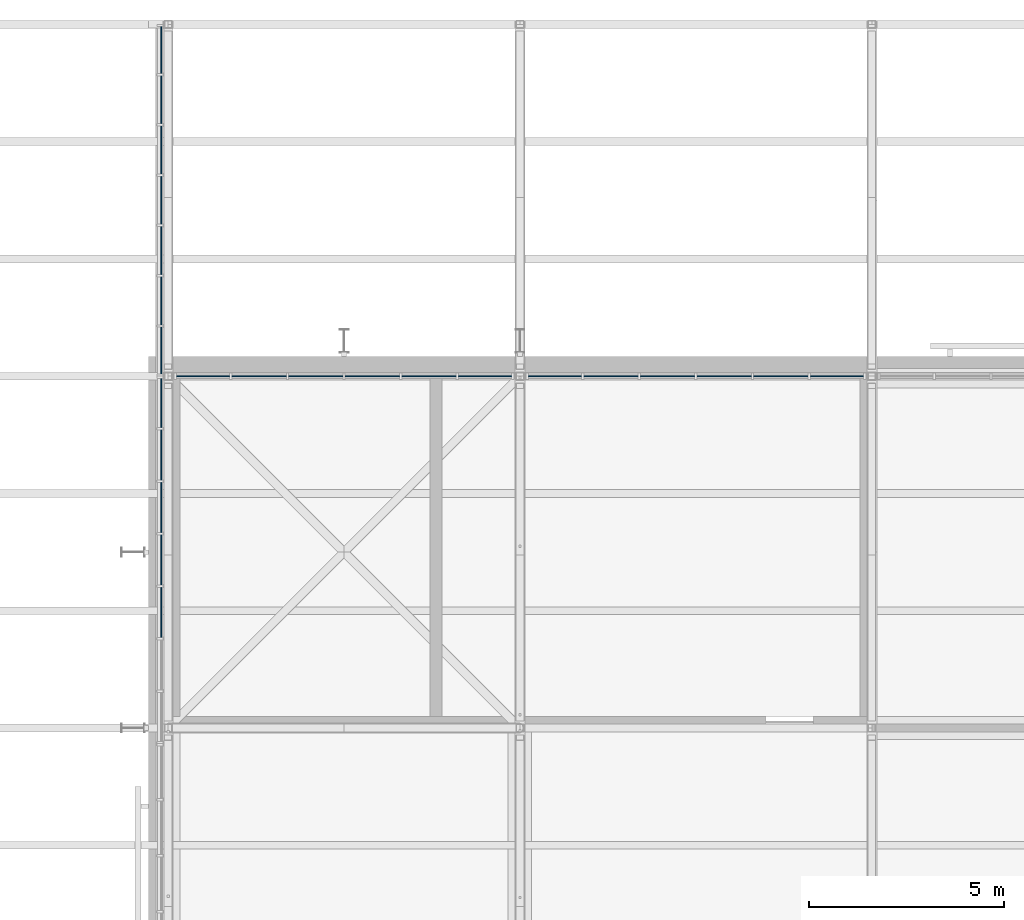
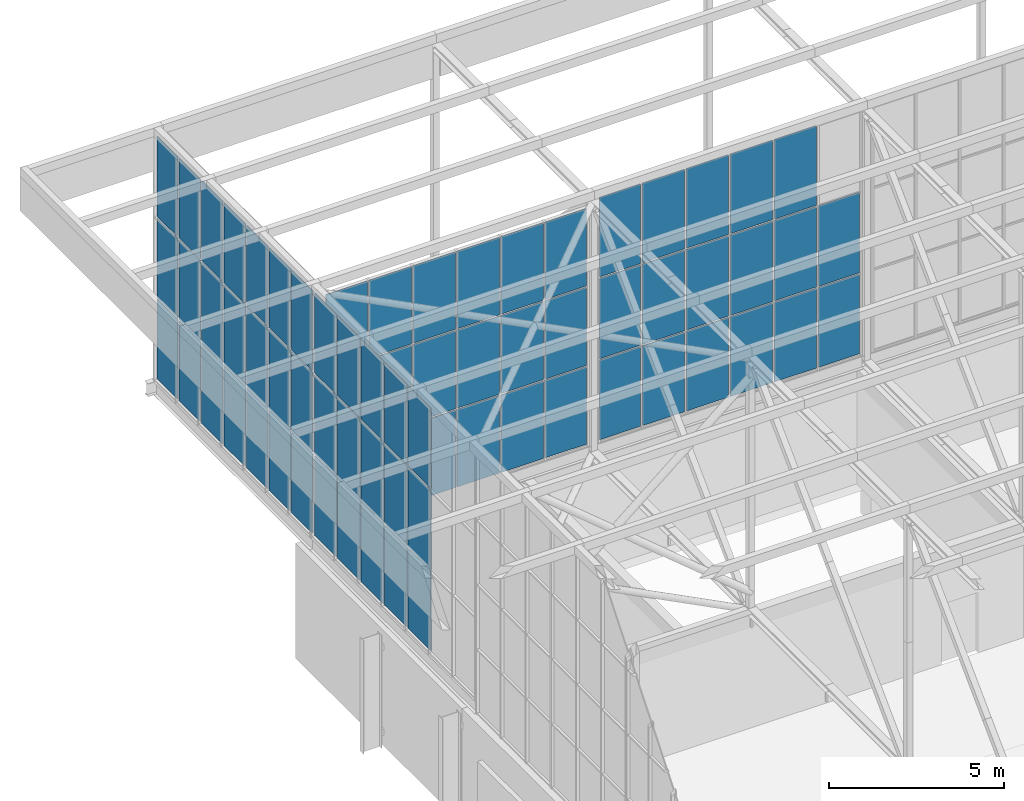
# One storey, part 159 of 646: 71 plates, 4 elements without a shape of their own.
"""IFC4 building model written with IfcOpenShell, lengths in metres."""

from ifc_helpers import new_model, si_unit, direction, frame, origin, origin_2d, place, context, subcontext, project, spatial, rectangle, extrude, material, layer, layer_set, type_object, element, aggregate, save


model = new_model("IFC4")

# Units and contexts
model_context = context("Model", 3, precision=1e-05, world=origin(), true_north=direction((0.0, 1.0)))
body_context = subcontext(model_context, "Body", "Model", "MODEL_VIEW")
ifc_project = project(units=[si_unit("LENGTHUNIT", "METRE"), si_unit("AREAUNIT", "SQUARE_METRE"), si_unit("VOLUMEUNIT", "CUBIC_METRE"), si_unit("PLANEANGLEUNIT", "RADIAN"), si_unit("MASSUNIT", "GRAM", prefix="KILO")], contexts=[model_context])

# Site, building, storey
site_placement = place(None, origin())
site = spatial("IfcSite", under=ifc_project, at=site_placement, CompositionType="ELEMENT")
building_placement = place(site_placement, origin())
building = spatial("IfcBuilding", under=site, at=building_placement, Name="Silverbay Arena", CompositionType="ELEMENT")
storey_placement = place(building_placement, frame((0.0, 0.0, 33.5)))
storey = spatial("IfcBuildingStorey", under=building, at=storey_placement, Name="L05", CompositionType="ELEMENT", Elevation=33.5)

# Curtain wall, plates
ifc_material_1 = material(Name="Aluminium framed glazing", Category="aluminium")
curtain_wall_type_1 = type_object("IfcCurtainWallType", Name="Curtain wall clerestory 8693 x 8303", PredefinedType="NOTDEFINED", material=ifc_material_1)
curtain_wall_1_placement = place(storey_placement, origin())
curtain_wall_1 = element("IfcCurtainWall", 1, at=curtain_wall_1_placement, inside=storey, type_object=curtain_wall_type_1, Name="ROOF CLERESTORY CURTAIN WALL north bay 01", PredefinedType="NOTDEFINED")
ifc_material_2 = material(Name="Laminated glass", Category="glass")
ifc_layer = layer(ifc_material_2, 0.028076171875)
ifc_layer_set = layer_set([ifc_layer], Name="Laminated glass")
plate_type = type_object("IfcPlateType", Name="Glass panel 28", PredefinedType="CURTAIN_PANEL", material=ifc_layer_set)
plate_1_placement = place(storey_placement, frame((54.89306640625, 144.0, 4.510009765625), z_axis=(0.0, 0.0, 1.0), x_axis=(1.0, 0.0, 0.0)))
plate_1 = element("IfcPlate", 2, at=plate_1_placement, type_object=plate_type, Name="CW54 panel 1.1", PredefinedType="CURTAIN_PANEL", context=body_context, shape_type="SweptSolid", body=[
    extrude(rectangle(XDim=1.35888671875, YDim=0.028076171875, at=origin_2d()), origin(), (0.0, 0.0, 1.0), 2.69287109375),
])
plate_2_placement = place(storey_placement, frame((54.89306640625, 144.0, 7.2529296875), z_axis=(0.0, 0.0, 1.0), x_axis=(1.0, 0.0, 0.0)))
plate_2 = element("IfcPlate", 3, at=plate_2_placement, type_object=plate_type, Name="CW54 panel 1.2", PredefinedType="CURTAIN_PANEL", context=body_context, shape_type="SweptSolid", body=[
    extrude(rectangle(XDim=1.35888671875, YDim=0.028076171875, at=origin_2d()), origin(), (0.0, 0.0, 1.0), 2.7177734375),
])
plate_3_placement = place(storey_placement, frame((54.89306640625, 144.0, 10.0205078125), z_axis=(0.0, 0.0, 1.0), x_axis=(1.0, 0.0, 0.0)))
plate_3 = element("IfcPlate", 4, at=plate_3_placement, type_object=plate_type, Name="CW54 panel 1.3", PredefinedType="CURTAIN_PANEL", context=body_context, shape_type="SweptSolid", body=[
    extrude(rectangle(XDim=1.35888671875, YDim=0.028076171875, at=origin_2d()), origin(), (0.0, 0.0, 1.0), 2.69287109375),
])
plate_4_placement = place(storey_placement, frame((56.326904296875, 144.0, 4.510009765625), z_axis=(0.0, 0.0, 1.0), x_axis=(1.0, 0.0, 0.0)))
plate_4 = element("IfcPlate", 5, at=plate_4_placement, type_object=plate_type, Name="CW54 panel 2.1", PredefinedType="CURTAIN_PANEL", context=body_context, shape_type="SweptSolid", body=[
    extrude(rectangle(XDim=1.388671875, YDim=0.028076171875, at=origin_2d()), origin(), (0.0, 0.0, 1.0), 2.69287109375),
])
plate_5_placement = place(storey_placement, frame((56.326904296875, 144.0, 7.2529296875), z_axis=(0.0, 0.0, 1.0), x_axis=(1.0, 0.0, 0.0)))
plate_5 = element("IfcPlate", 6, at=plate_5_placement, type_object=plate_type, Name="CW54 panel 2.2", PredefinedType="CURTAIN_PANEL", context=body_context, shape_type="SweptSolid", body=[
    extrude(rectangle(XDim=1.388671875, YDim=0.028076171875, at=origin_2d()), origin(), (0.0, 0.0, 1.0), 2.7177734375),
])
plate_6_placement = place(storey_placement, frame((56.326904296875, 144.0, 10.0205078125), z_axis=(0.0, 0.0, 1.0), x_axis=(1.0, 0.0, 0.0)))
plate_6 = element("IfcPlate", 7, at=plate_6_placement, type_object=plate_type, Name="CW54 panel 2.3", PredefinedType="CURTAIN_PANEL", context=body_context, shape_type="SweptSolid", body=[
    extrude(rectangle(XDim=1.388671875, YDim=0.028076171875, at=origin_2d()), origin(), (0.0, 0.0, 1.0), 2.69287109375),
])
plate_7_placement = place(storey_placement, frame((57.775634765625, 144.0, 4.510009765625), z_axis=(0.0, 0.0, 1.0), x_axis=(1.0, 0.0, 0.0)))
plate_7 = element("IfcPlate", 8, at=plate_7_placement, type_object=plate_type, Name="CW54 panel 3.1", PredefinedType="CURTAIN_PANEL", context=body_context, shape_type="SweptSolid", body=[
    extrude(rectangle(XDim=1.388671875, YDim=0.028076171875, at=origin_2d()), origin(), (0.0, 0.0, 1.0), 2.69287109375),
])
plate_8_placement = place(storey_placement, frame((57.775634765625, 144.0, 7.2529296875), z_axis=(0.0, 0.0, 1.0), x_axis=(1.0, 0.0, 0.0)))
plate_8 = element("IfcPlate", 9, at=plate_8_placement, type_object=plate_type, Name="CW54 panel 3.2", PredefinedType="CURTAIN_PANEL", context=body_context, shape_type="SweptSolid", body=[
    extrude(rectangle(XDim=1.388671875, YDim=0.028076171875, at=origin_2d()), origin(), (0.0, 0.0, 1.0), 2.7177734375),
])
plate_9_placement = place(storey_placement, frame((57.775634765625, 144.0, 10.0205078125), z_axis=(0.0, 0.0, 1.0), x_axis=(1.0, 0.0, 0.0)))
plate_9 = element("IfcPlate", 10, at=plate_9_placement, type_object=plate_type, Name="CW54 panel 3.3", PredefinedType="CURTAIN_PANEL", context=body_context, shape_type="SweptSolid", body=[
    extrude(rectangle(XDim=1.388671875, YDim=0.028076171875, at=origin_2d()), origin(), (0.0, 0.0, 1.0), 2.69287109375),
])
plate_10_placement = place(storey_placement, frame((59.224365234375, 144.0, 4.510009765625), z_axis=(0.0, 0.0, 1.0), x_axis=(1.0, 0.0, 0.0)))
plate_10 = element("IfcPlate", 11, at=plate_10_placement, type_object=plate_type, Name="CW54 panel 4.1", PredefinedType="CURTAIN_PANEL", context=body_context, shape_type="SweptSolid", body=[
    extrude(rectangle(XDim=1.388671875, YDim=0.028076171875, at=origin_2d()), origin(), (0.0, 0.0, 1.0), 2.69287109375),
])
plate_11_placement = place(storey_placement, frame((59.224365234375, 144.0, 7.2529296875), z_axis=(0.0, 0.0, 1.0), x_axis=(1.0, 0.0, 0.0)))
plate_11 = element("IfcPlate", 12, at=plate_11_placement, type_object=plate_type, Name="CW54 panel 4.2", PredefinedType="CURTAIN_PANEL", context=body_context, shape_type="SweptSolid", body=[
    extrude(rectangle(XDim=1.388671875, YDim=0.028076171875, at=origin_2d()), origin(), (0.0, 0.0, 1.0), 2.7177734375),
])
plate_12_placement = place(storey_placement, frame((59.224365234375, 144.0, 10.0205078125), z_axis=(0.0, 0.0, 1.0), x_axis=(1.0, 0.0, 0.0)))
plate_12 = element("IfcPlate", 13, at=plate_12_placement, type_object=plate_type, Name="CW54 panel 4.3", PredefinedType="CURTAIN_PANEL", context=body_context, shape_type="SweptSolid", body=[
    extrude(rectangle(XDim=1.388671875, YDim=0.028076171875, at=origin_2d()), origin(), (0.0, 0.0, 1.0), 2.69287109375),
])
plate_13_placement = place(storey_placement, frame((60.673095703125, 144.0, 4.510009765625), z_axis=(0.0, 0.0, 1.0), x_axis=(1.0, 0.0, 0.0)))
plate_13 = element("IfcPlate", 14, at=plate_13_placement, type_object=plate_type, Name="CW54 panel 5.1", PredefinedType="CURTAIN_PANEL", context=body_context, shape_type="SweptSolid", body=[
    extrude(rectangle(XDim=1.388671875, YDim=0.028076171875, at=origin_2d()), origin(), (0.0, 0.0, 1.0), 2.69287109375),
])
plate_14_placement = place(storey_placement, frame((60.673095703125, 144.0, 7.2529296875), z_axis=(0.0, 0.0, 1.0), x_axis=(1.0, 0.0, 0.0)))
plate_14 = element("IfcPlate", 15, at=plate_14_placement, type_object=plate_type, Name="CW54 panel 5.2", PredefinedType="CURTAIN_PANEL", context=body_context, shape_type="SweptSolid", body=[
    extrude(rectangle(XDim=1.388671875, YDim=0.028076171875, at=origin_2d()), origin(), (0.0, 0.0, 1.0), 2.7177734375),
])
plate_15_placement = place(storey_placement, frame((60.673095703125, 144.0, 10.0205078125), z_axis=(0.0, 0.0, 1.0), x_axis=(1.0, 0.0, 0.0)))
plate_15 = element("IfcPlate", 16, at=plate_15_placement, type_object=plate_type, Name="CW54 panel 5.3", PredefinedType="CURTAIN_PANEL", context=body_context, shape_type="SweptSolid", body=[
    extrude(rectangle(XDim=1.388671875, YDim=0.028076171875, at=origin_2d()), origin(), (0.0, 0.0, 1.0), 2.69287109375),
])
plate_16_placement = place(storey_placement, frame((62.10693359375, 144.0, 4.510009765625), z_axis=(0.0, 0.0, 1.0), x_axis=(1.0, 0.0, 0.0)))
plate_16 = element("IfcPlate", 17, at=plate_16_placement, type_object=plate_type, Name="CW54 panel 6.1", PredefinedType="CURTAIN_PANEL", context=body_context, shape_type="SweptSolid", body=[
    extrude(rectangle(XDim=1.35888671875, YDim=0.028076171875, at=origin_2d()), origin(), (0.0, 0.0, 1.0), 2.69287109375),
])
plate_17_placement = place(storey_placement, frame((62.10693359375, 144.0, 7.2529296875), z_axis=(0.0, 0.0, 1.0), x_axis=(1.0, 0.0, 0.0)))
plate_17 = element("IfcPlate", 18, at=plate_17_placement, type_object=plate_type, Name="CW54 panel 6.2", PredefinedType="CURTAIN_PANEL", context=body_context, shape_type="SweptSolid", body=[
    extrude(rectangle(XDim=1.35888671875, YDim=0.028076171875, at=origin_2d()), origin(), (0.0, 0.0, 1.0), 2.7177734375),
])
plate_18_placement = place(storey_placement, frame((62.10693359375, 144.0, 10.0205078125), z_axis=(0.0, 0.0, 1.0), x_axis=(1.0, 0.0, 0.0)))
plate_18 = element("IfcPlate", 19, at=plate_18_placement, type_object=plate_type, Name="CW54 panel 6.3", PredefinedType="CURTAIN_PANEL", context=body_context, shape_type="SweptSolid", body=[
    extrude(rectangle(XDim=1.35888671875, YDim=0.028076171875, at=origin_2d()), origin(), (0.0, 0.0, 1.0), 2.69287109375),
])
aggregate(curtain_wall_1, [plate_1, plate_2, plate_3, plate_4, plate_5, plate_6, plate_7, plate_8, plate_9, plate_10, plate_11, plate_12, plate_13, plate_14, plate_15, plate_16, plate_17, plate_18])

ifc_material_3 = material(Name="Aluminium framed glazing", Category="aluminium")
curtain_wall_type_2 = type_object("IfcCurtainWallType", Name="Curtain wall clerestory 8693 x 8540", PredefinedType="NOTDEFINED", material=ifc_material_3)
curtain_wall_2_placement = place(storey_placement, origin())
curtain_wall_2 = element("IfcCurtainWall", 20, at=curtain_wall_2_placement, inside=storey, type_object=curtain_wall_type_2, Name="ROOF CLERESTORY CURTAIN WALL north bay 02", PredefinedType="NOTDEFINED")
plate_19_placement = place(storey_placement, frame((63.89306640625, 144.0, 4.509765625), z_axis=(0.0, 0.0, 1.0), x_axis=(1.0, 0.0, 0.0)))
plate_19 = element("IfcPlate", 21, at=plate_19_placement, type_object=plate_type, Name="CW55 panel 1.1", PredefinedType="CURTAIN_PANEL", context=body_context, shape_type="SweptSolid", body=[
    extrude(rectangle(XDim=1.35888671875, YDim=0.028076171875, at=origin_2d()), origin(), (0.0, 0.0, 1.0), 2.771728515625),
])
plate_20_placement = place(storey_placement, frame((63.89306640625, 144.0, 7.33154296875), z_axis=(0.0, 0.0, 1.0), x_axis=(1.0, 0.0, 0.0)))
plate_20 = element("IfcPlate", 22, at=plate_20_placement, type_object=plate_type, Name="CW55 panel 1.2", PredefinedType="CURTAIN_PANEL", context=body_context, shape_type="SweptSolid", body=[
    extrude(rectangle(XDim=1.35888671875, YDim=0.028076171875, at=origin_2d()), origin(), (0.0, 0.0, 1.0), 2.796630859375),
])
plate_21_placement = place(storey_placement, frame((63.89306640625, 144.0, 10.17822265625), z_axis=(0.0, 0.0, 1.0), x_axis=(1.0, 0.0, 0.0)))
plate_21 = element("IfcPlate", 23, at=plate_21_placement, type_object=plate_type, Name="CW55 panel 1.3", PredefinedType="CURTAIN_PANEL", context=body_context, shape_type="SweptSolid", body=[
    extrude(rectangle(XDim=1.35888671875, YDim=0.028076171875, at=origin_2d()), origin(), (0.0, 0.0, 1.0), 2.771728515625),
])
plate_22_placement = place(storey_placement, frame((65.326904296875, 144.0, 4.509765625), z_axis=(0.0, 0.0, 1.0), x_axis=(1.0, 0.0, 0.0)))
plate_22 = element("IfcPlate", 24, at=plate_22_placement, type_object=plate_type, Name="CW55 panel 2.1", PredefinedType="CURTAIN_PANEL", context=body_context, shape_type="SweptSolid", body=[
    extrude(rectangle(XDim=1.388671875, YDim=0.028076171875, at=origin_2d()), origin(), (0.0, 0.0, 1.0), 2.771728515625),
])
plate_23_placement = place(storey_placement, frame((65.326904296875, 144.0, 7.33154296875), z_axis=(0.0, 0.0, 1.0), x_axis=(1.0, 0.0, 0.0)))
plate_23 = element("IfcPlate", 25, at=plate_23_placement, type_object=plate_type, Name="CW55 panel 2.2", PredefinedType="CURTAIN_PANEL", context=body_context, shape_type="SweptSolid", body=[
    extrude(rectangle(XDim=1.388671875, YDim=0.028076171875, at=origin_2d()), origin(), (0.0, 0.0, 1.0), 2.796630859375),
])
plate_24_placement = place(storey_placement, frame((65.326904296875, 144.0, 10.17822265625), z_axis=(0.0, 0.0, 1.0), x_axis=(1.0, 0.0, 0.0)))
plate_24 = element("IfcPlate", 26, at=plate_24_placement, type_object=plate_type, Name="CW55 panel 2.3", PredefinedType="CURTAIN_PANEL", context=body_context, shape_type="SweptSolid", body=[
    extrude(rectangle(XDim=1.388671875, YDim=0.028076171875, at=origin_2d()), origin(), (0.0, 0.0, 1.0), 2.771728515625),
])
plate_25_placement = place(storey_placement, frame((66.775634765625, 144.0, 4.509765625), z_axis=(0.0, 0.0, 1.0), x_axis=(1.0, 0.0, 0.0)))
plate_25 = element("IfcPlate", 27, at=plate_25_placement, type_object=plate_type, Name="CW55 panel 3.1", PredefinedType="CURTAIN_PANEL", context=body_context, shape_type="SweptSolid", body=[
    extrude(rectangle(XDim=1.388671875, YDim=0.028076171875, at=origin_2d()), origin(), (0.0, 0.0, 1.0), 2.771728515625),
])
plate_26_placement = place(storey_placement, frame((66.775634765625, 144.0, 7.33154296875), z_axis=(0.0, 0.0, 1.0), x_axis=(1.0, 0.0, 0.0)))
plate_26 = element("IfcPlate", 28, at=plate_26_placement, type_object=plate_type, Name="CW55 panel 3.2", PredefinedType="CURTAIN_PANEL", context=body_context, shape_type="SweptSolid", body=[
    extrude(rectangle(XDim=1.388671875, YDim=0.028076171875, at=origin_2d()), origin(), (0.0, 0.0, 1.0), 2.796630859375),
])
plate_27_placement = place(storey_placement, frame((66.775634765625, 144.0, 10.17822265625), z_axis=(0.0, 0.0, 1.0), x_axis=(1.0, 0.0, 0.0)))
plate_27 = element("IfcPlate", 29, at=plate_27_placement, type_object=plate_type, Name="CW55 panel 3.3", PredefinedType="CURTAIN_PANEL", context=body_context, shape_type="SweptSolid", body=[
    extrude(rectangle(XDim=1.388671875, YDim=0.028076171875, at=origin_2d()), origin(), (0.0, 0.0, 1.0), 2.771728515625),
])
plate_28_placement = place(storey_placement, frame((68.224365234375, 144.0, 4.509765625), z_axis=(0.0, 0.0, 1.0), x_axis=(1.0, 0.0, 0.0)))
plate_28 = element("IfcPlate", 30, at=plate_28_placement, type_object=plate_type, Name="CW55 panel 4.1", PredefinedType="CURTAIN_PANEL", context=body_context, shape_type="SweptSolid", body=[
    extrude(rectangle(XDim=1.388671875, YDim=0.028076171875, at=origin_2d()), origin(), (0.0, 0.0, 1.0), 2.771728515625),
])
plate_29_placement = place(storey_placement, frame((68.224365234375, 144.0, 7.33154296875), z_axis=(0.0, 0.0, 1.0), x_axis=(1.0, 0.0, 0.0)))
plate_29 = element("IfcPlate", 31, at=plate_29_placement, type_object=plate_type, Name="CW55 panel 4.2", PredefinedType="CURTAIN_PANEL", context=body_context, shape_type="SweptSolid", body=[
    extrude(rectangle(XDim=1.388671875, YDim=0.028076171875, at=origin_2d()), origin(), (0.0, 0.0, 1.0), 2.796630859375),
])
plate_30_placement = place(storey_placement, frame((68.224365234375, 144.0, 10.17822265625), z_axis=(0.0, 0.0, 1.0), x_axis=(1.0, 0.0, 0.0)))
plate_30 = element("IfcPlate", 32, at=plate_30_placement, type_object=plate_type, Name="CW55 panel 4.3", PredefinedType="CURTAIN_PANEL", context=body_context, shape_type="SweptSolid", body=[
    extrude(rectangle(XDim=1.388671875, YDim=0.028076171875, at=origin_2d()), origin(), (0.0, 0.0, 1.0), 2.771728515625),
])
plate_31_placement = place(storey_placement, frame((69.673095703125, 144.0, 4.509765625), z_axis=(0.0, 0.0, 1.0), x_axis=(1.0, 0.0, 0.0)))
plate_31 = element("IfcPlate", 33, at=plate_31_placement, type_object=plate_type, Name="CW55 panel 5.1", PredefinedType="CURTAIN_PANEL", context=body_context, shape_type="SweptSolid", body=[
    extrude(rectangle(XDim=1.388671875, YDim=0.028076171875, at=origin_2d()), origin(), (0.0, 0.0, 1.0), 2.771728515625),
])
plate_32_placement = place(storey_placement, frame((69.673095703125, 144.0, 7.33154296875), z_axis=(0.0, 0.0, 1.0), x_axis=(1.0, 0.0, 0.0)))
plate_32 = element("IfcPlate", 34, at=plate_32_placement, type_object=plate_type, Name="CW55 panel 5.2", PredefinedType="CURTAIN_PANEL", context=body_context, shape_type="SweptSolid", body=[
    extrude(rectangle(XDim=1.388671875, YDim=0.028076171875, at=origin_2d()), origin(), (0.0, 0.0, 1.0), 2.796630859375),
])
plate_33_placement = place(storey_placement, frame((69.673095703125, 144.0, 10.17822265625), z_axis=(0.0, 0.0, 1.0), x_axis=(1.0, 0.0, 0.0)))
plate_33 = element("IfcPlate", 35, at=plate_33_placement, type_object=plate_type, Name="CW55 panel 5.3", PredefinedType="CURTAIN_PANEL", context=body_context, shape_type="SweptSolid", body=[
    extrude(rectangle(XDim=1.388671875, YDim=0.028076171875, at=origin_2d()), origin(), (0.0, 0.0, 1.0), 2.771728515625),
])
plate_34_placement = place(storey_placement, frame((71.10693359375, 144.0, 4.509765625), z_axis=(0.0, 0.0, 1.0), x_axis=(1.0, 0.0, 0.0)))
plate_34 = element("IfcPlate", 36, at=plate_34_placement, type_object=plate_type, Name="CW55 panel 6.1", PredefinedType="CURTAIN_PANEL", context=body_context, shape_type="SweptSolid", body=[
    extrude(rectangle(XDim=1.35888671875, YDim=0.028076171875, at=origin_2d()), origin(), (0.0, 0.0, 1.0), 2.771728515625),
])
plate_35_placement = place(storey_placement, frame((71.10693359375, 144.0, 7.33154296875), z_axis=(0.0, 0.0, 1.0), x_axis=(1.0, 0.0, 0.0)))
plate_35 = element("IfcPlate", 37, at=plate_35_placement, type_object=plate_type, Name="CW55 panel 6.2", PredefinedType="CURTAIN_PANEL", context=body_context, shape_type="SweptSolid", body=[
    extrude(rectangle(XDim=1.35888671875, YDim=0.028076171875, at=origin_2d()), origin(), (0.0, 0.0, 1.0), 2.796630859375),
])
aggregate(curtain_wall_2, [plate_19, plate_20, plate_21, plate_22, plate_23, plate_24, plate_25, plate_26, plate_27, plate_28, plate_29, plate_30, plate_31, plate_32, plate_33, plate_34, plate_35])

ifc_material_4 = material(Name="Aluminium framed glazing", Category="aluminium")
curtain_wall_type_3 = type_object("IfcCurtainWallType", Name="Curtain wall clerestory 9400 x 8547", PredefinedType="NOTDEFINED", material=ifc_material_4)
curtain_wall_3_placement = place(storey_placement, origin())
curtain_wall_3 = element("IfcCurtainWall", 38, at=curtain_wall_3_placement, inside=storey, type_object=curtain_wall_type_3, Name="ROOF GABLE CLERESTORY CURTAIN WALL west bay 15", PredefinedType="NOTDEFINED")
plate_36_placement = place(storey_placement, frame((53.820068359375, 137.95703125, 4.50341796875), z_axis=(0.0, 0.0, 1.0), x_axis=(0.0, 1.0, 0.0)))
plate_36 = element("IfcPlate", 39, at=plate_36_placement, type_object=plate_type, Name="CW58 panel 3.1", PredefinedType="CURTAIN_PANEL", context=body_context, shape_type="SweptSolid", body=[
    extrude(rectangle(XDim=1.282958984375, YDim=0.028076171875, at=origin_2d()), origin(), (0.0, 0.0, 1.0), 2.77392578125),
])
plate_37_placement = place(storey_placement, frame((53.820068359375, 137.95703125, 7.327392578125), z_axis=(0.0, 0.0, 1.0), x_axis=(0.0, 1.0, 0.0)))
plate_37 = element("IfcPlate", 40, at=plate_37_placement, type_object=plate_type, Name="CW58 panel 3.2", PredefinedType="CURTAIN_PANEL", context=body_context, shape_type="SweptSolid", body=[
    extrude(rectangle(XDim=1.282958984375, YDim=0.028076171875, at=origin_2d()), origin(), (0.0, 0.0, 1.0), 2.798828125),
])
plate_38_placement = place(storey_placement, frame((53.820068359375, 137.95703125, 10.176025390625), z_axis=(0.0, 0.0, 1.0), x_axis=(0.0, 1.0, 0.0)))
plate_38 = element("IfcPlate", 41, at=plate_38_placement, type_object=plate_type, Name="CW58 panel 3.3", PredefinedType="CURTAIN_PANEL", context=body_context, shape_type="SweptSolid", body=[
    extrude(rectangle(XDim=1.282958984375, YDim=0.028076171875, at=origin_2d()), origin(), (0.0, 0.0, 1.0), 2.77392578125),
])
plate_39_placement = place(storey_placement, frame((53.820068359375, 139.300048828125, 4.50341796875), z_axis=(0.0, 0.0, 1.0), x_axis=(0.0, 1.0, 0.0)))
plate_39 = element("IfcPlate", 42, at=plate_39_placement, type_object=plate_type, Name="CW58 panel 4.1", PredefinedType="CURTAIN_PANEL", context=body_context, shape_type="SweptSolid", body=[
    extrude(rectangle(XDim=1.282958984375, YDim=0.028076171875, at=origin_2d()), origin(), (0.0, 0.0, 1.0), 2.77392578125),
])
plate_40_placement = place(storey_placement, frame((53.820068359375, 139.300048828125, 7.327392578125), z_axis=(0.0, 0.0, 1.0), x_axis=(0.0, 1.0, 0.0)))
plate_40 = element("IfcPlate", 43, at=plate_40_placement, type_object=plate_type, Name="CW58 panel 4.2", PredefinedType="CURTAIN_PANEL", context=body_context, shape_type="SweptSolid", body=[
    extrude(rectangle(XDim=1.282958984375, YDim=0.028076171875, at=origin_2d()), origin(), (0.0, 0.0, 1.0), 2.798828125),
])
plate_41_placement = place(storey_placement, frame((53.820068359375, 139.300048828125, 10.176025390625), z_axis=(0.0, 0.0, 1.0), x_axis=(0.0, 1.0, 0.0)))
plate_41 = element("IfcPlate", 44, at=plate_41_placement, type_object=plate_type, Name="CW58 panel 4.3", PredefinedType="CURTAIN_PANEL", context=body_context, shape_type="SweptSolid", body=[
    extrude(rectangle(XDim=1.282958984375, YDim=0.028076171875, at=origin_2d()), origin(), (0.0, 0.0, 1.0), 2.77392578125),
])
plate_42_placement = place(storey_placement, frame((53.820068359375, 140.642822265625, 4.50341796875), z_axis=(0.0, 0.0, 1.0), x_axis=(0.0, 1.0, 0.0)))
plate_42 = element("IfcPlate", 45, at=plate_42_placement, type_object=plate_type, Name="CW58 panel 5.1", PredefinedType="CURTAIN_PANEL", context=body_context, shape_type="SweptSolid", body=[
    extrude(rectangle(XDim=1.282958984375, YDim=0.028076171875, at=origin_2d()), origin(), (0.0, 0.0, 1.0), 2.77392578125),
])
plate_43_placement = place(storey_placement, frame((53.820068359375, 140.642822265625, 7.327392578125), z_axis=(0.0, 0.0, 1.0), x_axis=(0.0, 1.0, 0.0)))
plate_43 = element("IfcPlate", 46, at=plate_43_placement, type_object=plate_type, Name="CW58 panel 5.2", PredefinedType="CURTAIN_PANEL", context=body_context, shape_type="SweptSolid", body=[
    extrude(rectangle(XDim=1.282958984375, YDim=0.028076171875, at=origin_2d()), origin(), (0.0, 0.0, 1.0), 2.798828125),
])
plate_44_placement = place(storey_placement, frame((53.820068359375, 140.642822265625, 10.176025390625), z_axis=(0.0, 0.0, 1.0), x_axis=(0.0, 1.0, 0.0)))
plate_44 = element("IfcPlate", 47, at=plate_44_placement, type_object=plate_type, Name="CW58 panel 5.3", PredefinedType="CURTAIN_PANEL", context=body_context, shape_type="SweptSolid", body=[
    extrude(rectangle(XDim=1.282958984375, YDim=0.028076171875, at=origin_2d()), origin(), (0.0, 0.0, 1.0), 2.77392578125),
])
plate_45_placement = place(storey_placement, frame((53.820068359375, 141.985595703125, 4.50341796875), z_axis=(0.0, 0.0, 1.0), x_axis=(0.0, 1.0, 0.0)))
plate_45 = element("IfcPlate", 48, at=plate_45_placement, type_object=plate_type, Name="CW58 panel 6.1", PredefinedType="CURTAIN_PANEL", context=body_context, shape_type="SweptSolid", body=[
    extrude(rectangle(XDim=1.282958984375, YDim=0.028076171875, at=origin_2d()), origin(), (0.0, 0.0, 1.0), 2.77392578125),
])
plate_46_placement = place(storey_placement, frame((53.820068359375, 141.985595703125, 7.327392578125), z_axis=(0.0, 0.0, 1.0), x_axis=(0.0, 1.0, 0.0)))
plate_46 = element("IfcPlate", 49, at=plate_46_placement, type_object=plate_type, Name="CW58 panel 6.2", PredefinedType="CURTAIN_PANEL", context=body_context, shape_type="SweptSolid", body=[
    extrude(rectangle(XDim=1.282958984375, YDim=0.028076171875, at=origin_2d()), origin(), (0.0, 0.0, 1.0), 2.798828125),
])
plate_47_placement = place(storey_placement, frame((53.820068359375, 141.985595703125, 10.176025390625), z_axis=(0.0, 0.0, 1.0), x_axis=(0.0, 1.0, 0.0)))
plate_47 = element("IfcPlate", 50, at=plate_47_placement, type_object=plate_type, Name="CW58 panel 6.3", PredefinedType="CURTAIN_PANEL", context=body_context, shape_type="SweptSolid", body=[
    extrude(rectangle(XDim=1.282958984375, YDim=0.028076171875, at=origin_2d()), origin(), (0.0, 0.0, 1.0), 2.77392578125),
])
plate_48_placement = place(storey_placement, frame((53.820068359375, 143.3134765625, 4.50341796875), z_axis=(0.0, 0.0, 1.0), x_axis=(0.0, 1.0, 0.0)))
plate_48 = element("IfcPlate", 51, at=plate_48_placement, type_object=plate_type, Name="CW58 panel 7.1", PredefinedType="CURTAIN_PANEL", context=body_context, shape_type="SweptSolid", body=[
    extrude(rectangle(XDim=1.2529296875, YDim=0.028076171875, at=origin_2d()), origin(), (0.0, 0.0, 1.0), 2.77392578125),
])
plate_49_placement = place(storey_placement, frame((53.820068359375, 143.3134765625, 7.327392578125), z_axis=(0.0, 0.0, 1.0), x_axis=(0.0, 1.0, 0.0)))
plate_49 = element("IfcPlate", 52, at=plate_49_placement, type_object=plate_type, Name="CW58 panel 7.2", PredefinedType="CURTAIN_PANEL", context=body_context, shape_type="SweptSolid", body=[
    extrude(rectangle(XDim=1.2529296875, YDim=0.028076171875, at=origin_2d()), origin(), (0.0, 0.0, 1.0), 2.798828125),
])
plate_50_placement = place(storey_placement, frame((53.820068359375, 143.3134765625, 10.176025390625), z_axis=(0.0, 0.0, 1.0), x_axis=(0.0, 1.0, 0.0)))
plate_50 = element("IfcPlate", 53, at=plate_50_placement, type_object=plate_type, Name="CW58 panel 7.3", PredefinedType="CURTAIN_PANEL", context=body_context, shape_type="SweptSolid", body=[
    extrude(rectangle(XDim=1.2529296875, YDim=0.028076171875, at=origin_2d()), origin(), (0.0, 0.0, 1.0), 2.77392578125),
])
aggregate(curtain_wall_3, [plate_36, plate_37, plate_38, plate_39, plate_40, plate_41, plate_42, plate_43, plate_44, plate_45, plate_46, plate_47, plate_48, plate_49, plate_50])

ifc_material_5 = material(Name="Aluminium framed glazing", Category="aluminium")
curtain_wall_type_4 = type_object("IfcCurtainWallType", Name="Curtain wall clerestory 9000 x 8547", PredefinedType="NOTDEFINED", material=ifc_material_5)
curtain_wall_4_placement = place(storey_placement, origin())
curtain_wall_4 = element("IfcCurtainWall", 54, at=curtain_wall_4_placement, inside=storey, type_object=curtain_wall_type_4, Name="ROOF GABLE CLERESTORY CURTAIN WALL west bay 16", PredefinedType="NOTDEFINED")
plate_51_placement = place(storey_placement, frame((53.820068359375, 144.657958984375, 4.50341796875), z_axis=(0.0, 0.0, 1.0), x_axis=(0.0, 1.0, 0.0)))
plate_51 = element("IfcPlate", 55, at=plate_51_placement, type_object=plate_type, Name="CW57 panel 1.1", PredefinedType="CURTAIN_PANEL", context=body_context, shape_type="SweptSolid", body=[
    extrude(rectangle(XDim=1.19580078125, YDim=0.028076171875, at=origin_2d()), origin(), (0.0, 0.0, 1.0), 2.77392578125),
])
plate_52_placement = place(storey_placement, frame((53.820068359375, 144.657958984375, 7.327392578125), z_axis=(0.0, 0.0, 1.0), x_axis=(0.0, 1.0, 0.0)))
plate_52 = element("IfcPlate", 56, at=plate_52_placement, type_object=plate_type, Name="CW57 panel 1.2", PredefinedType="CURTAIN_PANEL", context=body_context, shape_type="SweptSolid", body=[
    extrude(rectangle(XDim=1.19580078125, YDim=0.028076171875, at=origin_2d()), origin(), (0.0, 0.0, 1.0), 2.798828125),
])
plate_53_placement = place(storey_placement, frame((53.820068359375, 144.657958984375, 10.176025390625), z_axis=(0.0, 0.0, 1.0), x_axis=(0.0, 1.0, 0.0)))
plate_53 = element("IfcPlate", 57, at=plate_53_placement, type_object=plate_type, Name="CW57 panel 1.3", PredefinedType="CURTAIN_PANEL", context=body_context, shape_type="SweptSolid", body=[
    extrude(rectangle(XDim=1.19580078125, YDim=0.028076171875, at=origin_2d()), origin(), (0.0, 0.0, 1.0), 2.77392578125),
])
plate_54_placement = place(storey_placement, frame((53.820068359375, 145.928466796875, 4.50341796875), z_axis=(0.0, 0.0, 1.0), x_axis=(0.0, 1.0, 0.0)))
plate_54 = element("IfcPlate", 58, at=plate_54_placement, type_object=plate_type, Name="CW57 panel 2.1", PredefinedType="CURTAIN_PANEL", context=body_context, shape_type="SweptSolid", body=[
    extrude(rectangle(XDim=1.225830078125, YDim=0.028076171875, at=origin_2d()), origin(), (0.0, 0.0, 1.0), 2.77392578125),
])
plate_55_placement = place(storey_placement, frame((53.820068359375, 145.928466796875, 7.327392578125), z_axis=(0.0, 0.0, 1.0), x_axis=(0.0, 1.0, 0.0)))
plate_55 = element("IfcPlate", 59, at=plate_55_placement, type_object=plate_type, Name="CW57 panel 2.2", PredefinedType="CURTAIN_PANEL", context=body_context, shape_type="SweptSolid", body=[
    extrude(rectangle(XDim=1.225830078125, YDim=0.028076171875, at=origin_2d()), origin(), (0.0, 0.0, 1.0), 2.798828125),
])
plate_56_placement = place(storey_placement, frame((53.820068359375, 145.928466796875, 10.176025390625), z_axis=(0.0, 0.0, 1.0), x_axis=(0.0, 1.0, 0.0)))
plate_56 = element("IfcPlate", 60, at=plate_56_placement, type_object=plate_type, Name="CW57 panel 2.3", PredefinedType="CURTAIN_PANEL", context=body_context, shape_type="SweptSolid", body=[
    extrude(rectangle(XDim=1.225830078125, YDim=0.028076171875, at=origin_2d()), origin(), (0.0, 0.0, 1.0), 2.77392578125),
])
plate_57_placement = place(storey_placement, frame((53.820068359375, 147.21435546875, 4.50341796875), z_axis=(0.0, 0.0, 1.0), x_axis=(0.0, 1.0, 0.0)))
plate_57 = element("IfcPlate", 61, at=plate_57_placement, type_object=plate_type, Name="CW57 panel 3.1", PredefinedType="CURTAIN_PANEL", context=body_context, shape_type="SweptSolid", body=[
    extrude(rectangle(XDim=1.225830078125, YDim=0.028076171875, at=origin_2d()), origin(), (0.0, 0.0, 1.0), 2.77392578125),
])
plate_58_placement = place(storey_placement, frame((53.820068359375, 147.21435546875, 7.327392578125), z_axis=(0.0, 0.0, 1.0), x_axis=(0.0, 1.0, 0.0)))
plate_58 = element("IfcPlate", 62, at=plate_58_placement, type_object=plate_type, Name="CW57 panel 3.2", PredefinedType="CURTAIN_PANEL", context=body_context, shape_type="SweptSolid", body=[
    extrude(rectangle(XDim=1.225830078125, YDim=0.028076171875, at=origin_2d()), origin(), (0.0, 0.0, 1.0), 2.798828125),
])
plate_59_placement = place(storey_placement, frame((53.820068359375, 147.21435546875, 10.176025390625), z_axis=(0.0, 0.0, 1.0), x_axis=(0.0, 1.0, 0.0)))
plate_59 = element("IfcPlate", 63, at=plate_59_placement, type_object=plate_type, Name="CW57 panel 3.3", PredefinedType="CURTAIN_PANEL", context=body_context, shape_type="SweptSolid", body=[
    extrude(rectangle(XDim=1.225830078125, YDim=0.028076171875, at=origin_2d()), origin(), (0.0, 0.0, 1.0), 2.77392578125),
])
plate_60_placement = place(storey_placement, frame((53.820068359375, 148.5, 4.50341796875), z_axis=(0.0, 0.0, 1.0), x_axis=(0.0, 1.0, 0.0)))
plate_60 = element("IfcPlate", 64, at=plate_60_placement, type_object=plate_type, Name="CW57 panel 4.1", PredefinedType="CURTAIN_PANEL", context=body_context, shape_type="SweptSolid", body=[
    extrude(rectangle(XDim=1.225830078125, YDim=0.028076171875, at=origin_2d()), origin(), (0.0, 0.0, 1.0), 2.77392578125),
])
plate_61_placement = place(storey_placement, frame((53.820068359375, 148.5, 7.327392578125), z_axis=(0.0, 0.0, 1.0), x_axis=(0.0, 1.0, 0.0)))
plate_61 = element("IfcPlate", 65, at=plate_61_placement, type_object=plate_type, Name="CW57 panel 4.2", PredefinedType="CURTAIN_PANEL", context=body_context, shape_type="SweptSolid", body=[
    extrude(rectangle(XDim=1.225830078125, YDim=0.028076171875, at=origin_2d()), origin(), (0.0, 0.0, 1.0), 2.798828125),
])
plate_62_placement = place(storey_placement, frame((53.820068359375, 148.5, 10.176025390625), z_axis=(0.0, 0.0, 1.0), x_axis=(0.0, 1.0, 0.0)))
plate_62 = element("IfcPlate", 66, at=plate_62_placement, type_object=plate_type, Name="CW57 panel 4.3", PredefinedType="CURTAIN_PANEL", context=body_context, shape_type="SweptSolid", body=[
    extrude(rectangle(XDim=1.225830078125, YDim=0.028076171875, at=origin_2d()), origin(), (0.0, 0.0, 1.0), 2.77392578125),
])
plate_63_placement = place(storey_placement, frame((53.820068359375, 149.78564453125, 4.50341796875), z_axis=(0.0, 0.0, 1.0), x_axis=(0.0, 1.0, 0.0)))
plate_63 = element("IfcPlate", 67, at=plate_63_placement, type_object=plate_type, Name="CW57 panel 5.1", PredefinedType="CURTAIN_PANEL", context=body_context, shape_type="SweptSolid", body=[
    extrude(rectangle(XDim=1.225830078125, YDim=0.028076171875, at=origin_2d()), origin(), (0.0, 0.0, 1.0), 2.77392578125),
])
plate_64_placement = place(storey_placement, frame((53.820068359375, 149.78564453125, 7.327392578125), z_axis=(0.0, 0.0, 1.0), x_axis=(0.0, 1.0, 0.0)))
plate_64 = element("IfcPlate", 68, at=plate_64_placement, type_object=plate_type, Name="CW57 panel 5.2", PredefinedType="CURTAIN_PANEL", context=body_context, shape_type="SweptSolid", body=[
    extrude(rectangle(XDim=1.225830078125, YDim=0.028076171875, at=origin_2d()), origin(), (0.0, 0.0, 1.0), 2.798828125),
])
plate_65_placement = place(storey_placement, frame((53.820068359375, 149.78564453125, 10.176025390625), z_axis=(0.0, 0.0, 1.0), x_axis=(0.0, 1.0, 0.0)))
plate_65 = element("IfcPlate", 69, at=plate_65_placement, type_object=plate_type, Name="CW57 panel 5.3", PredefinedType="CURTAIN_PANEL", context=body_context, shape_type="SweptSolid", body=[
    extrude(rectangle(XDim=1.225830078125, YDim=0.028076171875, at=origin_2d()), origin(), (0.0, 0.0, 1.0), 2.77392578125),
])
plate_66_placement = place(storey_placement, frame((53.820068359375, 151.071533203125, 4.50341796875), z_axis=(0.0, 0.0, 1.0), x_axis=(0.0, 1.0, 0.0)))
plate_66 = element("IfcPlate", 70, at=plate_66_placement, type_object=plate_type, Name="CW57 panel 6.1", PredefinedType="CURTAIN_PANEL", context=body_context, shape_type="SweptSolid", body=[
    extrude(rectangle(XDim=1.225830078125, YDim=0.028076171875, at=origin_2d()), origin(), (0.0, 0.0, 1.0), 2.77392578125),
])
plate_67_placement = place(storey_placement, frame((53.820068359375, 151.071533203125, 7.327392578125), z_axis=(0.0, 0.0, 1.0), x_axis=(0.0, 1.0, 0.0)))
plate_67 = element("IfcPlate", 71, at=plate_67_placement, type_object=plate_type, Name="CW57 panel 6.2", PredefinedType="CURTAIN_PANEL", context=body_context, shape_type="SweptSolid", body=[
    extrude(rectangle(XDim=1.225830078125, YDim=0.028076171875, at=origin_2d()), origin(), (0.0, 0.0, 1.0), 2.798828125),
])
plate_68_placement = place(storey_placement, frame((53.820068359375, 151.071533203125, 10.176025390625), z_axis=(0.0, 0.0, 1.0), x_axis=(0.0, 1.0, 0.0)))
plate_68 = element("IfcPlate", 72, at=plate_68_placement, type_object=plate_type, Name="CW57 panel 6.3", PredefinedType="CURTAIN_PANEL", context=body_context, shape_type="SweptSolid", body=[
    extrude(rectangle(XDim=1.225830078125, YDim=0.028076171875, at=origin_2d()), origin(), (0.0, 0.0, 1.0), 2.77392578125),
])
plate_69_placement = place(storey_placement, frame((53.820068359375, 152.342041015625, 4.50341796875), z_axis=(0.0, 0.0, 1.0), x_axis=(0.0, 1.0, 0.0)))
plate_69 = element("IfcPlate", 73, at=plate_69_placement, type_object=plate_type, Name="CW57 panel 7.1", PredefinedType="CURTAIN_PANEL", context=body_context, shape_type="SweptSolid", body=[
    extrude(rectangle(XDim=1.19580078125, YDim=0.028076171875, at=origin_2d()), origin(), (0.0, 0.0, 1.0), 2.77392578125),
])
plate_70_placement = place(storey_placement, frame((53.820068359375, 152.342041015625, 7.327392578125), z_axis=(0.0, 0.0, 1.0), x_axis=(0.0, 1.0, 0.0)))
plate_70 = element("IfcPlate", 74, at=plate_70_placement, type_object=plate_type, Name="CW57 panel 7.2", PredefinedType="CURTAIN_PANEL", context=body_context, shape_type="SweptSolid", body=[
    extrude(rectangle(XDim=1.19580078125, YDim=0.028076171875, at=origin_2d()), origin(), (0.0, 0.0, 1.0), 2.798828125),
])
plate_71_placement = place(storey_placement, frame((53.820068359375, 152.342041015625, 10.176025390625), z_axis=(0.0, 0.0, 1.0), x_axis=(0.0, 1.0, 0.0)))
plate_71 = element("IfcPlate", 75, at=plate_71_placement, type_object=plate_type, Name="CW57 panel 7.3", PredefinedType="CURTAIN_PANEL", context=body_context, shape_type="SweptSolid", body=[
    extrude(rectangle(XDim=1.19580078125, YDim=0.028076171875, at=origin_2d()), origin(), (0.0, 0.0, 1.0), 2.77392578125),
])
aggregate(curtain_wall_4, [plate_51, plate_52, plate_53, plate_54, plate_55, plate_56, plate_57, plate_58, plate_59, plate_60, plate_61, plate_62, plate_63, plate_64, plate_65, plate_66, plate_67, plate_68, plate_69, plate_70, plate_71])

save(model, "model.ifc")
